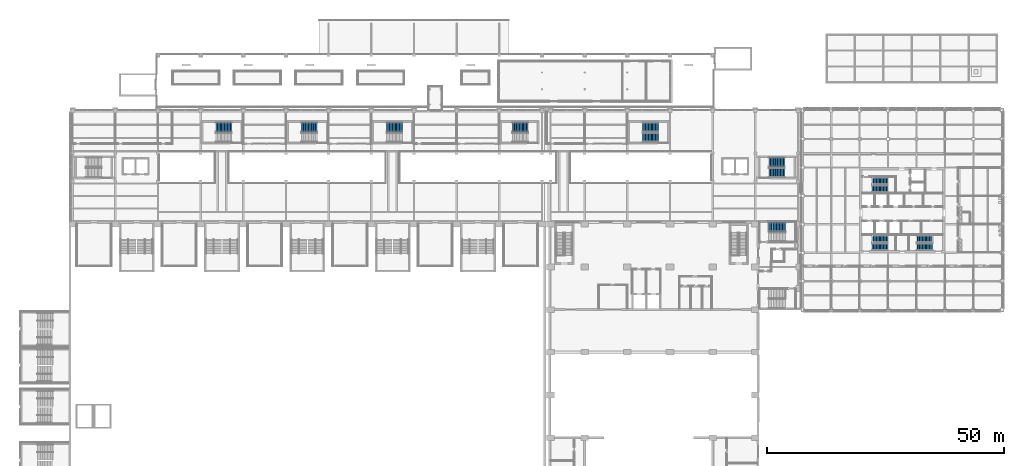
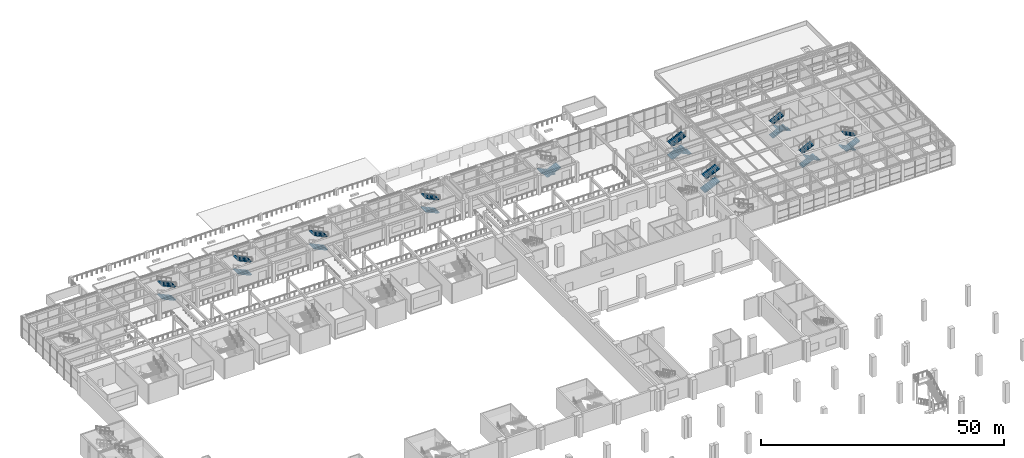
# One storey, part 52 of 67: 24 stair flights, 10 elements without a shape of their own.
"""IFC4 building model written with IfcOpenShell, lengths in metres."""

from ifc_helpers import new_model, si_unit, direction, frame, origin, place, context, subcontext, project, spatial, polyline, outline, extrude, material, type_object, element, aggregate, save


model = new_model("IFC4")

# Units and contexts
model_context = context("Model", 3, precision=1e-05, world=origin(), true_north=direction((0.0, 1.0)))
body_context = subcontext(model_context, "Body", "Model", "MODEL_VIEW")
ifc_project = project(units=[si_unit("LENGTHUNIT", "METRE"), si_unit("AREAUNIT", "SQUARE_METRE"), si_unit("VOLUMEUNIT", "CUBIC_METRE"), si_unit("PLANEANGLEUNIT", "RADIAN"), si_unit("MASSUNIT", "GRAM", prefix="KILO")], contexts=[model_context])

# Site, building, storey
site_placement = place(None, origin())
site = spatial("IfcSite", under=ifc_project, at=site_placement, CompositionType="ELEMENT")
building_placement = place(site_placement, origin())
building = spatial("IfcBuilding", under=site, at=building_placement, Name="Aravalli Gate Trade Fair Centre", CompositionType="ELEMENT")
storey_placement = place(building_placement, frame((0.0, 0.0, 5.0)))
storey = spatial("IfcBuildingStorey", under=building, at=storey_placement, Name="L01", CompositionType="ELEMENT", Elevation=5.0)

# Stair, stair flights
ifc_material = material(Name="Concrete M30", Category="concrete")
stair_type_1 = type_object("IfcStairType", Name="Concourse stair, 2000 wide", PredefinedType="HALF_TURN_STAIR", material=ifc_material)
stair_1_placement = place(storey_placement, origin())
stair_1 = element("IfcStair", 1, at=stair_1_placement, inside=storey, type_object=stair_type_1, Name="Stair ES L01", PredefinedType="HALF_TURN_STAIR")
stair_flight_type_1 = type_object("IfcStairFlightType", Name="Concourse stair flight 2000", PredefinedType="STRAIGHT", material=ifc_material)
stair_flight_1_placement = place(storey_placement, frame((152.89990234375, 122.10009765625, 0.0), z_axis=(0.0, 0.0, 1.0), x_axis=(1.0, 0.0, 0.0)))
stair_flight_1 = element("IfcStairFlight", 2, at=stair_flight_1_placement, type_object=stair_flight_type_1, Name="STES-L01 flight 1", NumberOfRisers=12, NumberOfTreads=11, PredefinedType="STRAIGHT", RiserHeight=0.138888889, TreadLength=0.3, context=body_context, shape_type="SweptSolid", body=[
    extrude(outline(polyline([(0.0, 0.0), (0.0, 0.138916015625), (0.300048828125, 0.138916015625), (0.300048828125, 0.27783203125), (0.60009765625, 0.27783203125), (0.60009765625, 0.416748046875), (0.89990234375, 0.416748046875), (0.89990234375, 0.5556640625), (1.199951171875, 0.5556640625), (1.199951171875, 0.6943359375), (1.5, 0.6943359375), (1.5, 0.833251953125), (1.800048828125, 0.833251953125), (1.800048828125, 0.97216796875), (2.10009765625, 0.97216796875), (2.10009765625, 1.111083984375), (2.39990234375, 1.111083984375), (2.39990234375, 1.25), (2.699951171875, 1.25), (2.699951171875, 1.388916015625), (3.0, 1.388916015625), (3.0, 1.52783203125), (3.300048828125, 1.52783203125), (3.300048828125, 1.666748046875), (3.300048828125, 1.307373046875), (0.475830078125, 0.0), (0.0, 0.0)])), frame((0.0, 1.0, 0.0), z_axis=(0.0, -1.0, 0.0), x_axis=(1.0, 0.0, 0.0)), (0.0, 0.0, 1.0), 2.0),
])
stair_flight_2_placement = place(storey_placement, frame((156.199951171875, 119.89990234375, 1.666748046875), z_axis=(0.0, 0.0, 1.0), x_axis=(-1.0, 0.0, 0.0)))
stair_flight_2 = element("IfcStairFlight", 3, at=stair_flight_2_placement, type_object=stair_flight_type_1, Name="STES-L01 flight 2", NumberOfRisers=12, NumberOfTreads=11, PredefinedType="STRAIGHT", RiserHeight=0.138888889, TreadLength=0.3, context=body_context, shape_type="SweptSolid", body=[
    extrude(outline(polyline([(0.0, 0.0), (0.0, 0.138916015625), (0.300048828125, 0.138916015625), (0.300048828125, 0.27783203125), (0.60009765625, 0.27783203125), (0.60009765625, 0.416748046875), (0.89990234375, 0.416748046875), (0.89990234375, 0.5556640625), (1.199951171875, 0.5556640625), (1.199951171875, 0.6943359375), (1.5, 0.6943359375), (1.5, 0.833251953125), (1.800048828125, 0.833251953125), (1.800048828125, 0.97216796875), (2.10009765625, 0.97216796875), (2.10009765625, 1.111083984375), (2.39990234375, 1.111083984375), (2.39990234375, 1.25), (2.699951171875, 1.25), (2.699951171875, 1.388916015625), (3.0, 1.388916015625), (3.0, 1.52783203125), (3.300048828125, 1.52783203125), (3.300048828125, 1.666748046875), (3.300048828125, 1.307373046875), (0.475830078125, 0.0), (0.0, 0.0)])), frame((0.0, 1.0, 0.0), z_axis=(0.0, -1.0, 0.0), x_axis=(1.0, 0.0, 0.0)), (0.0, 0.0, 1.0), 2.0),
])
stair_flight_3_placement = place(storey_placement, frame((152.89990234375, 122.10009765625, 3.333251953125), z_axis=(0.0, 0.0, 1.0), x_axis=(1.0, 0.0, 0.0)))
stair_flight_3 = element("IfcStairFlight", 4, at=stair_flight_3_placement, type_object=stair_flight_type_1, Name="STES-L01 flight 3", NumberOfRisers=12, NumberOfTreads=11, PredefinedType="STRAIGHT", RiserHeight=0.138888889, TreadLength=0.3, context=body_context, shape_type="SweptSolid", body=[
    extrude(outline(polyline([(0.0, 0.0), (0.0, 0.138916015625), (0.300048828125, 0.138916015625), (0.300048828125, 0.27783203125), (0.60009765625, 0.27783203125), (0.60009765625, 0.416748046875), (0.89990234375, 0.416748046875), (0.89990234375, 0.5556640625), (1.199951171875, 0.5556640625), (1.199951171875, 0.6943359375), (1.5, 0.6943359375), (1.5, 0.833251953125), (1.800048828125, 0.833251953125), (1.800048828125, 0.97216796875), (2.10009765625, 0.97216796875), (2.10009765625, 1.111083984375), (2.39990234375, 1.111083984375), (2.39990234375, 1.25), (2.699951171875, 1.25), (2.699951171875, 1.388916015625), (3.0, 1.388916015625), (3.0, 1.52783203125), (3.300048828125, 1.52783203125), (3.300048828125, 1.666748046875), (3.300048828125, 1.307373046875), (0.475830078125, 0.0), (0.0, 0.0)])), frame((0.0, 1.0, 0.0), z_axis=(0.0, -1.0, 0.0), x_axis=(1.0, 0.0, 0.0)), (0.0, 0.0, 1.0), 2.0),
])
aggregate(stair_1, [stair_flight_1, stair_flight_2, stair_flight_3])

stair_2_placement = place(storey_placement, origin())
stair_2 = element("IfcStair", 5, at=stair_2_placement, inside=storey, type_object=stair_type_1, Name="Stair XA L01", PredefinedType="HALF_TURN_STAIR")
stair_flight_4_placement = place(storey_placement, frame((39.550048828125, 129.5, 0.0), z_axis=(0.0, 0.0, 1.0), x_axis=(-1.0, 0.0, 0.0)))
stair_flight_4 = element("IfcStairFlight", 6, at=stair_flight_4_placement, type_object=stair_flight_type_1, Name="STXA-L01 flight 1", NumberOfRisers=12, NumberOfTreads=11, PredefinedType="STRAIGHT", RiserHeight=0.138888889, TreadLength=0.3, context=body_context, shape_type="SweptSolid", body=[
    extrude(outline(polyline([(0.0, 0.0), (0.0, 0.138916015625), (0.300048828125, 0.138916015625), (0.300048828125, 0.27783203125), (0.60009765625, 0.27783203125), (0.60009765625, 0.416748046875), (0.89990234375, 0.416748046875), (0.89990234375, 0.5556640625), (1.199951171875, 0.5556640625), (1.199951171875, 0.6943359375), (1.5, 0.6943359375), (1.5, 0.833251953125), (1.800048828125, 0.833251953125), (1.800048828125, 0.97216796875), (2.10009765625, 0.97216796875), (2.10009765625, 1.111083984375), (2.39990234375, 1.111083984375), (2.39990234375, 1.25), (2.699951171875, 1.25), (2.699951171875, 1.388916015625), (3.0, 1.388916015625), (3.0, 1.52783203125), (3.300048828125, 1.52783203125), (3.300048828125, 1.666748046875), (3.300048828125, 1.307373046875), (0.475830078125, 0.0), (0.0, 0.0)])), frame((0.0, 1.0, 0.0), z_axis=(0.0, -1.0, 0.0), x_axis=(1.0, 0.0, 0.0)), (0.0, 0.0, 1.0), 2.0),
])
stair_flight_5_placement = place(storey_placement, frame((39.550048828125, 129.5, 3.333251953125), z_axis=(0.0, 0.0, 1.0), x_axis=(-1.0, 0.0, 0.0)))
stair_flight_5 = element("IfcStairFlight", 7, at=stair_flight_5_placement, type_object=stair_flight_type_1, Name="STXA-L01 flight 3", NumberOfRisers=12, NumberOfTreads=11, PredefinedType="STRAIGHT", RiserHeight=0.138888889, TreadLength=0.3, context=body_context, shape_type="SweptSolid", body=[
    extrude(outline(polyline([(0.0, 0.0), (0.0, 0.138916015625), (0.300048828125, 0.138916015625), (0.300048828125, 0.27783203125), (0.60009765625, 0.27783203125), (0.60009765625, 0.416748046875), (0.89990234375, 0.416748046875), (0.89990234375, 0.5556640625), (1.199951171875, 0.5556640625), (1.199951171875, 0.6943359375), (1.5, 0.6943359375), (1.5, 0.833251953125), (1.800048828125, 0.833251953125), (1.800048828125, 0.97216796875), (2.10009765625, 0.97216796875), (2.10009765625, 1.111083984375), (2.39990234375, 1.111083984375), (2.39990234375, 1.25), (2.699951171875, 1.25), (2.699951171875, 1.388916015625), (3.0, 1.388916015625), (3.0, 1.52783203125), (3.300048828125, 1.52783203125), (3.300048828125, 1.666748046875), (3.300048828125, 1.307373046875), (0.475830078125, 0.0), (0.0, 0.0)])), frame((0.0, 1.0, 0.0), z_axis=(0.0, -1.0, 0.0), x_axis=(1.0, 0.0, 0.0)), (0.0, 0.0, 1.0), 2.0),
])
aggregate(stair_2, [stair_flight_4, stair_flight_5])

stair_3_placement = place(storey_placement, origin())
stair_3 = element("IfcStair", 8, at=stair_3_placement, inside=storey, type_object=stair_type_1, Name="Stair XB L01", PredefinedType="HALF_TURN_STAIR")
stair_flight_6_placement = place(storey_placement, frame((57.550048828125, 129.5, 0.0), z_axis=(0.0, 0.0, 1.0), x_axis=(-1.0, 0.0, 0.0)))
stair_flight_6 = element("IfcStairFlight", 9, at=stair_flight_6_placement, type_object=stair_flight_type_1, Name="STXB-L01 flight 1", NumberOfRisers=12, NumberOfTreads=11, PredefinedType="STRAIGHT", RiserHeight=0.138888889, TreadLength=0.3, context=body_context, shape_type="SweptSolid", body=[
    extrude(outline(polyline([(0.0, 0.0), (0.0, 0.138916015625), (0.300048828125, 0.138916015625), (0.300048828125, 0.27783203125), (0.60009765625, 0.27783203125), (0.60009765625, 0.416748046875), (0.89990234375, 0.416748046875), (0.89990234375, 0.5556640625), (1.199951171875, 0.5556640625), (1.199951171875, 0.6943359375), (1.5, 0.6943359375), (1.5, 0.833251953125), (1.800048828125, 0.833251953125), (1.800048828125, 0.97216796875), (2.10009765625, 0.97216796875), (2.10009765625, 1.111083984375), (2.39990234375, 1.111083984375), (2.39990234375, 1.25), (2.699951171875, 1.25), (2.699951171875, 1.388916015625), (3.0, 1.388916015625), (3.0, 1.52783203125), (3.300048828125, 1.52783203125), (3.300048828125, 1.666748046875), (3.300048828125, 1.307373046875), (0.475830078125, 0.0), (0.0, 0.0)])), frame((0.0, 1.0, 0.0), z_axis=(0.0, -1.0, 0.0), x_axis=(1.0, 0.0, 0.0)), (0.0, 0.0, 1.0), 2.0),
])
stair_flight_7_placement = place(storey_placement, frame((57.550048828125, 129.5, 3.333251953125), z_axis=(0.0, 0.0, 1.0), x_axis=(-1.0, 0.0, 0.0)))
stair_flight_7 = element("IfcStairFlight", 10, at=stair_flight_7_placement, type_object=stair_flight_type_1, Name="STXB-L01 flight 3", NumberOfRisers=12, NumberOfTreads=11, PredefinedType="STRAIGHT", RiserHeight=0.138888889, TreadLength=0.3, context=body_context, shape_type="SweptSolid", body=[
    extrude(outline(polyline([(0.0, 0.0), (0.0, 0.138916015625), (0.300048828125, 0.138916015625), (0.300048828125, 0.27783203125), (0.60009765625, 0.27783203125), (0.60009765625, 0.416748046875), (0.89990234375, 0.416748046875), (0.89990234375, 0.5556640625), (1.199951171875, 0.5556640625), (1.199951171875, 0.6943359375), (1.5, 0.6943359375), (1.5, 0.833251953125), (1.800048828125, 0.833251953125), (1.800048828125, 0.97216796875), (2.10009765625, 0.97216796875), (2.10009765625, 1.111083984375), (2.39990234375, 1.111083984375), (2.39990234375, 1.25), (2.699951171875, 1.25), (2.699951171875, 1.388916015625), (3.0, 1.388916015625), (3.0, 1.52783203125), (3.300048828125, 1.52783203125), (3.300048828125, 1.666748046875), (3.300048828125, 1.307373046875), (0.475830078125, 0.0), (0.0, 0.0)])), frame((0.0, 1.0, 0.0), z_axis=(0.0, -1.0, 0.0), x_axis=(1.0, 0.0, 0.0)), (0.0, 0.0, 1.0), 2.0),
])
aggregate(stair_3, [stair_flight_6, stair_flight_7])

stair_4_placement = place(storey_placement, origin())
stair_4 = element("IfcStair", 11, at=stair_4_placement, inside=storey, type_object=stair_type_1, Name="Stair XC L01", PredefinedType="HALF_TURN_STAIR")
stair_flight_8_placement = place(storey_placement, frame((75.550048828125, 129.5, 0.0), z_axis=(0.0, 0.0, 1.0), x_axis=(-1.0, 0.0, 0.0)))
stair_flight_8 = element("IfcStairFlight", 12, at=stair_flight_8_placement, type_object=stair_flight_type_1, Name="STXC-L01 flight 1", NumberOfRisers=12, NumberOfTreads=11, PredefinedType="STRAIGHT", RiserHeight=0.138888889, TreadLength=0.3, context=body_context, shape_type="SweptSolid", body=[
    extrude(outline(polyline([(0.0, 0.0), (0.0, 0.138916015625), (0.300048828125, 0.138916015625), (0.300048828125, 0.27783203125), (0.60009765625, 0.27783203125), (0.60009765625, 0.416748046875), (0.89990234375, 0.416748046875), (0.89990234375, 0.5556640625), (1.199951171875, 0.5556640625), (1.199951171875, 0.6943359375), (1.5, 0.6943359375), (1.5, 0.833251953125), (1.800048828125, 0.833251953125), (1.800048828125, 0.97216796875), (2.10009765625, 0.97216796875), (2.10009765625, 1.111083984375), (2.39990234375, 1.111083984375), (2.39990234375, 1.25), (2.699951171875, 1.25), (2.699951171875, 1.388916015625), (3.0, 1.388916015625), (3.0, 1.52783203125), (3.300048828125, 1.52783203125), (3.300048828125, 1.666748046875), (3.300048828125, 1.307373046875), (0.475830078125, 0.0), (0.0, 0.0)])), frame((0.0, 1.0, 0.0), z_axis=(0.0, -1.0, 0.0), x_axis=(1.0, 0.0, 0.0)), (0.0, 0.0, 1.0), 2.0),
])
stair_flight_9_placement = place(storey_placement, frame((75.550048828125, 129.5, 3.333251953125), z_axis=(0.0, 0.0, 1.0), x_axis=(-1.0, 0.0, 0.0)))
stair_flight_9 = element("IfcStairFlight", 13, at=stair_flight_9_placement, type_object=stair_flight_type_1, Name="STXC-L01 flight 3", NumberOfRisers=12, NumberOfTreads=11, PredefinedType="STRAIGHT", RiserHeight=0.138888889, TreadLength=0.3, context=body_context, shape_type="SweptSolid", body=[
    extrude(outline(polyline([(0.0, 0.0), (0.0, 0.138916015625), (0.300048828125, 0.138916015625), (0.300048828125, 0.27783203125), (0.60009765625, 0.27783203125), (0.60009765625, 0.416748046875), (0.89990234375, 0.416748046875), (0.89990234375, 0.5556640625), (1.199951171875, 0.5556640625), (1.199951171875, 0.6943359375), (1.5, 0.6943359375), (1.5, 0.833251953125), (1.800048828125, 0.833251953125), (1.800048828125, 0.97216796875), (2.10009765625, 0.97216796875), (2.10009765625, 1.111083984375), (2.39990234375, 1.111083984375), (2.39990234375, 1.25), (2.699951171875, 1.25), (2.699951171875, 1.388916015625), (3.0, 1.388916015625), (3.0, 1.52783203125), (3.300048828125, 1.52783203125), (3.300048828125, 1.666748046875), (3.300048828125, 1.307373046875), (0.475830078125, 0.0), (0.0, 0.0)])), frame((0.0, 1.0, 0.0), z_axis=(0.0, -1.0, 0.0), x_axis=(1.0, 0.0, 0.0)), (0.0, 0.0, 1.0), 2.0),
])
aggregate(stair_4, [stair_flight_8, stair_flight_9])

stair_5_placement = place(storey_placement, origin())
stair_5 = element("IfcStair", 14, at=stair_5_placement, inside=storey, type_object=stair_type_1, Name="Stair XD L01", PredefinedType="HALF_TURN_STAIR")
stair_flight_10_placement = place(storey_placement, frame((102.050048828125, 129.5, 0.0), z_axis=(0.0, 0.0, 1.0), x_axis=(-1.0, 0.0, 0.0)))
stair_flight_10 = element("IfcStairFlight", 15, at=stair_flight_10_placement, type_object=stair_flight_type_1, Name="STXD-L01 flight 1", NumberOfRisers=12, NumberOfTreads=11, PredefinedType="STRAIGHT", RiserHeight=0.138888889, TreadLength=0.3, context=body_context, shape_type="SweptSolid", body=[
    extrude(outline(polyline([(0.0, 0.0), (0.0, 0.138916015625), (0.300048828125, 0.138916015625), (0.300048828125, 0.27783203125), (0.60009765625, 0.27783203125), (0.60009765625, 0.416748046875), (0.89990234375, 0.416748046875), (0.89990234375, 0.5556640625), (1.199951171875, 0.5556640625), (1.199951171875, 0.6943359375), (1.5, 0.6943359375), (1.5, 0.833251953125), (1.800048828125, 0.833251953125), (1.800048828125, 0.97216796875), (2.10009765625, 0.97216796875), (2.10009765625, 1.111083984375), (2.39990234375, 1.111083984375), (2.39990234375, 1.25), (2.699951171875, 1.25), (2.699951171875, 1.388916015625), (3.0, 1.388916015625), (3.0, 1.52783203125), (3.300048828125, 1.52783203125), (3.300048828125, 1.666748046875), (3.300048828125, 1.307373046875), (0.475830078125, 0.0), (0.0, 0.0)])), frame((0.0, 1.0, 0.0), z_axis=(0.0, -1.0, 0.0), x_axis=(1.0, 0.0, 0.0)), (0.0, 0.0, 1.0), 2.0),
])
stair_flight_11_placement = place(storey_placement, frame((102.050048828125, 129.5, 3.333251953125), z_axis=(0.0, 0.0, 1.0), x_axis=(-1.0, 0.0, 0.0)))
stair_flight_11 = element("IfcStairFlight", 16, at=stair_flight_11_placement, type_object=stair_flight_type_1, Name="STXD-L01 flight 3", NumberOfRisers=12, NumberOfTreads=11, PredefinedType="STRAIGHT", RiserHeight=0.138888889, TreadLength=0.3, context=body_context, shape_type="SweptSolid", body=[
    extrude(outline(polyline([(0.0, 0.0), (0.0, 0.138916015625), (0.300048828125, 0.138916015625), (0.300048828125, 0.27783203125), (0.60009765625, 0.27783203125), (0.60009765625, 0.416748046875), (0.89990234375, 0.416748046875), (0.89990234375, 0.5556640625), (1.199951171875, 0.5556640625), (1.199951171875, 0.6943359375), (1.5, 0.6943359375), (1.5, 0.833251953125), (1.800048828125, 0.833251953125), (1.800048828125, 0.97216796875), (2.10009765625, 0.97216796875), (2.10009765625, 1.111083984375), (2.39990234375, 1.111083984375), (2.39990234375, 1.25), (2.699951171875, 1.25), (2.699951171875, 1.388916015625), (3.0, 1.388916015625), (3.0, 1.52783203125), (3.300048828125, 1.52783203125), (3.300048828125, 1.666748046875), (3.300048828125, 1.307373046875), (0.475830078125, 0.0), (0.0, 0.0)])), frame((0.0, 1.0, 0.0), z_axis=(0.0, -1.0, 0.0), x_axis=(1.0, 0.0, 0.0)), (0.0, 0.0, 1.0), 2.0),
])
aggregate(stair_5, [stair_flight_10, stair_flight_11])

stair_6_placement = place(storey_placement, origin())
stair_6 = element("IfcStair", 17, at=stair_6_placement, inside=storey, type_object=stair_type_1, Name="Stair XE L01", PredefinedType="HALF_TURN_STAIR")
stair_flight_12_placement = place(storey_placement, frame((129.550048828125, 129.5, 0.0), z_axis=(0.0, 0.0, 1.0), x_axis=(-1.0, 0.0, 0.0)))
stair_flight_12 = element("IfcStairFlight", 18, at=stair_flight_12_placement, type_object=stair_flight_type_1, Name="STXE-L01 flight 1", NumberOfRisers=12, NumberOfTreads=11, PredefinedType="STRAIGHT", RiserHeight=0.138888889, TreadLength=0.3, context=body_context, shape_type="SweptSolid", body=[
    extrude(outline(polyline([(0.0, 0.0), (0.0, 0.138916015625), (0.300048828125, 0.138916015625), (0.300048828125, 0.27783203125), (0.60009765625, 0.27783203125), (0.60009765625, 0.416748046875), (0.89990234375, 0.416748046875), (0.89990234375, 0.5556640625), (1.199951171875, 0.5556640625), (1.199951171875, 0.6943359375), (1.5, 0.6943359375), (1.5, 0.833251953125), (1.800048828125, 0.833251953125), (1.800048828125, 0.97216796875), (2.10009765625, 0.97216796875), (2.10009765625, 1.111083984375), (2.39990234375, 1.111083984375), (2.39990234375, 1.25), (2.699951171875, 1.25), (2.699951171875, 1.388916015625), (3.0, 1.388916015625), (3.0, 1.52783203125), (3.300048828125, 1.52783203125), (3.300048828125, 1.666748046875), (3.300048828125, 1.307373046875), (0.475830078125, 0.0), (0.0, 0.0)])), frame((0.0, 1.0, 0.0), z_axis=(0.0, -1.0, 0.0), x_axis=(1.0, 0.0, 0.0)), (0.0, 0.0, 1.0), 2.0),
])
stair_flight_13_placement = place(storey_placement, frame((126.25, 127.300048828125, 1.666748046875), z_axis=(0.0, 0.0, 1.0), x_axis=(1.0, 0.0, 0.0)))
stair_flight_13 = element("IfcStairFlight", 19, at=stair_flight_13_placement, type_object=stair_flight_type_1, Name="STXE-L01 flight 2", NumberOfRisers=12, NumberOfTreads=11, PredefinedType="STRAIGHT", RiserHeight=0.138888889, TreadLength=0.3, context=body_context, shape_type="SweptSolid", body=[
    extrude(outline(polyline([(0.0, 0.0), (0.0, 0.138916015625), (0.300048828125, 0.138916015625), (0.300048828125, 0.27783203125), (0.60009765625, 0.27783203125), (0.60009765625, 0.416748046875), (0.89990234375, 0.416748046875), (0.89990234375, 0.5556640625), (1.199951171875, 0.5556640625), (1.199951171875, 0.6943359375), (1.5, 0.6943359375), (1.5, 0.833251953125), (1.800048828125, 0.833251953125), (1.800048828125, 0.97216796875), (2.10009765625, 0.97216796875), (2.10009765625, 1.111083984375), (2.39990234375, 1.111083984375), (2.39990234375, 1.25), (2.699951171875, 1.25), (2.699951171875, 1.388916015625), (3.0, 1.388916015625), (3.0, 1.52783203125), (3.300048828125, 1.52783203125), (3.300048828125, 1.666748046875), (3.300048828125, 1.307373046875), (0.475830078125, 0.0), (0.0, 0.0)])), frame((0.0, 1.0, 0.0), z_axis=(0.0, -1.0, 0.0), x_axis=(1.0, 0.0, 0.0)), (0.0, 0.0, 1.0), 2.0),
])
aggregate(stair_6, [stair_flight_12, stair_flight_13])

stair_type_2 = type_object("IfcStairType", Name="Wing core stair", PredefinedType="HALF_TURN_STAIR", material=ifc_material)
stair_7_placement = place(storey_placement, origin())
stair_7 = element("IfcStair", 20, at=stair_7_placement, inside=storey, type_object=stair_type_2, Name="Stair S2 L01", PredefinedType="HALF_TURN_STAIR")
stair_flight_type_2 = type_object("IfcStairFlightType", Name="Wing core stair flight", PredefinedType="STRAIGHT", material=ifc_material)
stair_flight_14_placement = place(storey_placement, frame((174.64990234375, 105.929931640625, 0.0), z_axis=(0.0, 0.0, 1.0), x_axis=(1.0, 0.0, 0.0)))
stair_flight_14 = element("IfcStairFlight", 21, at=stair_flight_14_placement, type_object=stair_flight_type_2, Name="TST1 flight 1", NumberOfRisers=12, NumberOfTreads=11, PredefinedType="STRAIGHT", RiserHeight=0.147058824, TreadLength=0.3, context=body_context, shape_type="SweptSolid", body=[
    extrude(outline(polyline([(0.0, 0.0), (0.0, 0.14697265625), (0.300048828125, 0.14697265625), (0.300048828125, 0.294189453125), (0.60009765625, 0.294189453125), (0.60009765625, 0.441162109375), (0.89990234375, 0.441162109375), (0.89990234375, 0.588134765625), (1.199951171875, 0.588134765625), (1.199951171875, 0.7353515625), (1.5, 0.7353515625), (1.5, 0.88232421875), (1.800048828125, 0.88232421875), (1.800048828125, 1.029296875), (2.10009765625, 1.029296875), (2.10009765625, 1.176513671875), (2.39990234375, 1.176513671875), (2.39990234375, 1.323486328125), (2.699951171875, 1.323486328125), (2.699951171875, 1.470703125), (3.0, 1.470703125), (3.0, 1.61767578125), (3.300048828125, 1.61767578125), (3.300048828125, 1.7646484375), (3.300048828125, 1.472900390625), (0.295166015625, 0.0), (0.0, 0.0)])), frame((0.0, 0.77001953125, 0.0), z_axis=(0.0, -1.0, 0.0), x_axis=(1.0, 0.0, 0.0)), (0.0, 0.0, 1.0), 1.5400390625),
])
stair_flight_15_placement = place(storey_placement, frame((177.949951171875, 104.27001953125, 1.7646484375), z_axis=(0.0, 0.0, 1.0), x_axis=(-1.0, 0.0, 0.0)))
stair_flight_15 = element("IfcStairFlight", 22, at=stair_flight_15_placement, type_object=stair_flight_type_2, Name="TST1 flight 2", NumberOfRisers=12, NumberOfTreads=11, PredefinedType="STRAIGHT", RiserHeight=0.147058824, TreadLength=0.3, context=body_context, shape_type="SweptSolid", body=[
    extrude(outline(polyline([(0.0, 0.0), (0.0, 0.14697265625), (0.300048828125, 0.14697265625), (0.300048828125, 0.294189453125), (0.60009765625, 0.294189453125), (0.60009765625, 0.441162109375), (0.89990234375, 0.441162109375), (0.89990234375, 0.588134765625), (1.199951171875, 0.588134765625), (1.199951171875, 0.7353515625), (1.5, 0.7353515625), (1.5, 0.88232421875), (1.800048828125, 0.88232421875), (1.800048828125, 1.029296875), (2.10009765625, 1.029296875), (2.10009765625, 1.176513671875), (2.39990234375, 1.176513671875), (2.39990234375, 1.323486328125), (2.699951171875, 1.323486328125), (2.699951171875, 1.470703125), (3.0, 1.470703125), (3.0, 1.61767578125), (3.300048828125, 1.61767578125), (3.300048828125, 1.7646484375), (3.300048828125, 1.472900390625), (0.295166015625, 0.0), (0.0, 0.0)])), frame((0.0, 0.77001953125, 0.0), z_axis=(0.0, -1.0, 0.0), x_axis=(1.0, 0.0, 0.0)), (0.0, 0.0, 1.0), 1.5400390625),
])
stair_flight_16_placement = place(storey_placement, frame((174.64990234375, 105.929931640625, 3.529296875), z_axis=(0.0, 0.0, 1.0), x_axis=(1.0, 0.0, 0.0)))
stair_flight_16 = element("IfcStairFlight", 23, at=stair_flight_16_placement, type_object=stair_flight_type_2, Name="TST1 flight 3", NumberOfRisers=10, NumberOfTreads=9, PredefinedType="STRAIGHT", RiserHeight=0.147058824, TreadLength=0.3, context=body_context, shape_type="SweptSolid", body=[
    extrude(outline(polyline([(0.0, 0.0), (0.0, 0.14697265625), (0.300048828125, 0.14697265625), (0.300048828125, 0.294189453125), (0.60009765625, 0.294189453125), (0.60009765625, 0.441162109375), (0.89990234375, 0.441162109375), (0.89990234375, 0.588134765625), (1.199951171875, 0.588134765625), (1.199951171875, 0.7353515625), (1.5, 0.7353515625), (1.5, 0.88232421875), (1.800048828125, 0.88232421875), (1.800048828125, 1.029296875), (2.10009765625, 1.029296875), (2.10009765625, 1.176513671875), (2.39990234375, 1.176513671875), (2.39990234375, 1.323486328125), (2.699951171875, 1.323486328125), (2.699951171875, 1.470703125), (2.699951171875, 1.178955078125), (0.295166015625, 0.0), (0.0, 0.0)])), frame((0.0, 0.77001953125, 0.0), z_axis=(0.0, -1.0, 0.0), x_axis=(1.0, 0.0, 0.0)), (0.0, 0.0, 1.0), 1.5400390625),
])
aggregate(stair_7, [stair_flight_14, stair_flight_15, stair_flight_16])

stair_8_placement = place(storey_placement, origin())
stair_8 = element("IfcStair", 24, at=stair_8_placement, inside=storey, type_object=stair_type_2, Name="Stair S1 L01", PredefinedType="HALF_TURN_STAIR")
stair_flight_17_placement = place(storey_placement, frame((187.35009765625, 105.929931640625, 0.0), z_axis=(0.0, 0.0, 1.0), x_axis=(-1.0, 0.0, 0.0)))
stair_flight_17 = element("IfcStairFlight", 25, at=stair_flight_17_placement, type_object=stair_flight_type_2, Name="TST1 flight 1", NumberOfRisers=12, NumberOfTreads=11, PredefinedType="STRAIGHT", RiserHeight=0.147058824, TreadLength=0.3, context=body_context, shape_type="SweptSolid", body=[
    extrude(outline(polyline([(0.0, 0.0), (0.0, 0.14697265625), (0.300048828125, 0.14697265625), (0.300048828125, 0.294189453125), (0.60009765625, 0.294189453125), (0.60009765625, 0.441162109375), (0.89990234375, 0.441162109375), (0.89990234375, 0.588134765625), (1.199951171875, 0.588134765625), (1.199951171875, 0.7353515625), (1.5, 0.7353515625), (1.5, 0.88232421875), (1.800048828125, 0.88232421875), (1.800048828125, 1.029296875), (2.10009765625, 1.029296875), (2.10009765625, 1.176513671875), (2.39990234375, 1.176513671875), (2.39990234375, 1.323486328125), (2.699951171875, 1.323486328125), (2.699951171875, 1.470703125), (3.0, 1.470703125), (3.0, 1.61767578125), (3.300048828125, 1.61767578125), (3.300048828125, 1.7646484375), (3.300048828125, 1.472900390625), (0.295166015625, 0.0), (0.0, 0.0)])), frame((0.0, 0.77001953125, 0.0), z_axis=(0.0, -1.0, 0.0), x_axis=(1.0, 0.0, 0.0)), (0.0, 0.0, 1.0), 1.5400390625),
])
stair_flight_18_placement = place(storey_placement, frame((184.050048828125, 104.27001953125, 1.7646484375), z_axis=(0.0, 0.0, 1.0), x_axis=(1.0, 0.0, 0.0)))
stair_flight_18 = element("IfcStairFlight", 26, at=stair_flight_18_placement, type_object=stair_flight_type_2, Name="TST1 flight 2", NumberOfRisers=12, NumberOfTreads=11, PredefinedType="STRAIGHT", RiserHeight=0.147058824, TreadLength=0.3, context=body_context, shape_type="SweptSolid", body=[
    extrude(outline(polyline([(0.0, 0.0), (0.0, 0.14697265625), (0.300048828125, 0.14697265625), (0.300048828125, 0.294189453125), (0.60009765625, 0.294189453125), (0.60009765625, 0.441162109375), (0.89990234375, 0.441162109375), (0.89990234375, 0.588134765625), (1.199951171875, 0.588134765625), (1.199951171875, 0.7353515625), (1.5, 0.7353515625), (1.5, 0.88232421875), (1.800048828125, 0.88232421875), (1.800048828125, 1.029296875), (2.10009765625, 1.029296875), (2.10009765625, 1.176513671875), (2.39990234375, 1.176513671875), (2.39990234375, 1.323486328125), (2.699951171875, 1.323486328125), (2.699951171875, 1.470703125), (3.0, 1.470703125), (3.0, 1.61767578125), (3.300048828125, 1.61767578125), (3.300048828125, 1.7646484375), (3.300048828125, 1.472900390625), (0.295166015625, 0.0), (0.0, 0.0)])), frame((0.0, 0.77001953125, 0.0), z_axis=(0.0, -1.0, 0.0), x_axis=(1.0, 0.0, 0.0)), (0.0, 0.0, 1.0), 1.5400390625),
])
stair_flight_19_placement = place(storey_placement, frame((187.35009765625, 105.929931640625, 3.529296875), z_axis=(0.0, 0.0, 1.0), x_axis=(-1.0, 0.0, 0.0)))
stair_flight_19 = element("IfcStairFlight", 27, at=stair_flight_19_placement, type_object=stair_flight_type_2, Name="TST1 flight 3", NumberOfRisers=10, NumberOfTreads=9, PredefinedType="STRAIGHT", RiserHeight=0.147058824, TreadLength=0.3, context=body_context, shape_type="SweptSolid", body=[
    extrude(outline(polyline([(0.0, 0.0), (0.0, 0.14697265625), (0.300048828125, 0.14697265625), (0.300048828125, 0.294189453125), (0.60009765625, 0.294189453125), (0.60009765625, 0.441162109375), (0.89990234375, 0.441162109375), (0.89990234375, 0.588134765625), (1.199951171875, 0.588134765625), (1.199951171875, 0.7353515625), (1.5, 0.7353515625), (1.5, 0.88232421875), (1.800048828125, 0.88232421875), (1.800048828125, 1.029296875), (2.10009765625, 1.029296875), (2.10009765625, 1.176513671875), (2.39990234375, 1.176513671875), (2.39990234375, 1.323486328125), (2.699951171875, 1.323486328125), (2.699951171875, 1.470703125), (2.699951171875, 1.178955078125), (0.295166015625, 0.0), (0.0, 0.0)])), frame((0.0, 0.77001953125, 0.0), z_axis=(0.0, -1.0, 0.0), x_axis=(1.0, 0.0, 0.0)), (0.0, 0.0, 1.0), 1.5400390625),
])
aggregate(stair_8, [stair_flight_17, stair_flight_18, stair_flight_19])

stair_9_placement = place(storey_placement, origin())
stair_9 = element("IfcStair", 28, at=stair_9_placement, inside=storey, type_object=stair_type_2, Name="Stair FFS L01", PredefinedType="HALF_TURN_STAIR")
stair_flight_20_placement = place(storey_placement, frame((174.64990234375, 118.1298828125, 0.0), z_axis=(0.0, 0.0, 1.0), x_axis=(1.0, 0.0, 0.0)))
stair_flight_20 = element("IfcStairFlight", 29, at=stair_flight_20_placement, type_object=stair_flight_type_2, Name="TST1 flight 1", NumberOfRisers=12, NumberOfTreads=11, PredefinedType="STRAIGHT", RiserHeight=0.147058824, TreadLength=0.3, context=body_context, shape_type="SweptSolid", body=[
    extrude(outline(polyline([(0.0, 0.0), (0.0, 0.14697265625), (0.300048828125, 0.14697265625), (0.300048828125, 0.294189453125), (0.60009765625, 0.294189453125), (0.60009765625, 0.441162109375), (0.89990234375, 0.441162109375), (0.89990234375, 0.588134765625), (1.199951171875, 0.588134765625), (1.199951171875, 0.7353515625), (1.5, 0.7353515625), (1.5, 0.88232421875), (1.800048828125, 0.88232421875), (1.800048828125, 1.029296875), (2.10009765625, 1.029296875), (2.10009765625, 1.176513671875), (2.39990234375, 1.176513671875), (2.39990234375, 1.323486328125), (2.699951171875, 1.323486328125), (2.699951171875, 1.470703125), (3.0, 1.470703125), (3.0, 1.61767578125), (3.300048828125, 1.61767578125), (3.300048828125, 1.7646484375), (3.300048828125, 1.472900390625), (0.295166015625, 0.0), (0.0, 0.0)])), frame((0.0, 0.77001953125, 0.0), z_axis=(0.0, -1.0, 0.0), x_axis=(1.0, 0.0, 0.0)), (0.0, 0.0, 1.0), 1.5400390625),
])
stair_flight_21_placement = place(storey_placement, frame((177.949951171875, 116.469970703125, 1.7646484375), z_axis=(0.0, 0.0, 1.0), x_axis=(-1.0, 0.0, 0.0)))
stair_flight_21 = element("IfcStairFlight", 30, at=stair_flight_21_placement, type_object=stair_flight_type_2, Name="TST1 flight 2", NumberOfRisers=12, NumberOfTreads=11, PredefinedType="STRAIGHT", RiserHeight=0.147058824, TreadLength=0.3, context=body_context, shape_type="SweptSolid", body=[
    extrude(outline(polyline([(0.0, 0.0), (0.0, 0.14697265625), (0.300048828125, 0.14697265625), (0.300048828125, 0.294189453125), (0.60009765625, 0.294189453125), (0.60009765625, 0.441162109375), (0.89990234375, 0.441162109375), (0.89990234375, 0.588134765625), (1.199951171875, 0.588134765625), (1.199951171875, 0.7353515625), (1.5, 0.7353515625), (1.5, 0.88232421875), (1.800048828125, 0.88232421875), (1.800048828125, 1.029296875), (2.10009765625, 1.029296875), (2.10009765625, 1.176513671875), (2.39990234375, 1.176513671875), (2.39990234375, 1.323486328125), (2.699951171875, 1.323486328125), (2.699951171875, 1.470703125), (3.0, 1.470703125), (3.0, 1.61767578125), (3.300048828125, 1.61767578125), (3.300048828125, 1.7646484375), (3.300048828125, 1.472900390625), (0.295166015625, 0.0), (0.0, 0.0)])), frame((0.0, 0.77001953125, 0.0), z_axis=(0.0, -1.0, 0.0), x_axis=(1.0, 0.0, 0.0)), (0.0, 0.0, 1.0), 1.5400390625),
])
stair_flight_22_placement = place(storey_placement, frame((174.64990234375, 118.1298828125, 3.529296875), z_axis=(0.0, 0.0, 1.0), x_axis=(1.0, 0.0, 0.0)))
stair_flight_22 = element("IfcStairFlight", 31, at=stair_flight_22_placement, type_object=stair_flight_type_2, Name="TST1 flight 3", NumberOfRisers=10, NumberOfTreads=9, PredefinedType="STRAIGHT", RiserHeight=0.147058824, TreadLength=0.3, context=body_context, shape_type="SweptSolid", body=[
    extrude(outline(polyline([(0.0, 0.0), (0.0, 0.14697265625), (0.300048828125, 0.14697265625), (0.300048828125, 0.294189453125), (0.60009765625, 0.294189453125), (0.60009765625, 0.441162109375), (0.89990234375, 0.441162109375), (0.89990234375, 0.588134765625), (1.199951171875, 0.588134765625), (1.199951171875, 0.7353515625), (1.5, 0.7353515625), (1.5, 0.88232421875), (1.800048828125, 0.88232421875), (1.800048828125, 1.029296875), (2.10009765625, 1.029296875), (2.10009765625, 1.176513671875), (2.39990234375, 1.176513671875), (2.39990234375, 1.323486328125), (2.699951171875, 1.323486328125), (2.699951171875, 1.470703125), (2.699951171875, 1.178955078125), (0.295166015625, 0.0), (0.0, 0.0)])), frame((0.0, 0.77001953125, 0.0), z_axis=(0.0, -1.0, 0.0), x_axis=(1.0, 0.0, 0.0)), (0.0, 0.0, 1.0), 1.5400390625),
])
aggregate(stair_9, [stair_flight_20, stair_flight_21, stair_flight_22])

stair_10_placement = place(storey_placement, origin())
stair_10 = element("IfcStair", 32, at=stair_10_placement, inside=storey, type_object=stair_type_2, Name="Stair LB L01", PredefinedType="HALF_TURN_STAIR")
stair_flight_23_placement = place(storey_placement, frame((152.802978515625, 108.449951171875, 0.0), z_axis=(0.0, 0.0, 1.0), x_axis=(1.0, 0.0, 0.0)))
stair_flight_23 = element("IfcStairFlight", 33, at=stair_flight_23_placement, type_object=stair_flight_type_2, Name="TST1 flight 1", NumberOfRisers=12, NumberOfTreads=11, PredefinedType="STRAIGHT", RiserHeight=0.147058824, TreadLength=0.327, context=body_context, shape_type="SweptSolid", body=[
    extrude(outline(polyline([(0.0, 0.0), (0.0, 0.14697265625), (0.326904296875, 0.14697265625), (0.326904296875, 0.294189453125), (0.654052734375, 0.294189453125), (0.654052734375, 0.441162109375), (0.98095703125, 0.441162109375), (0.98095703125, 0.588134765625), (1.30810546875, 0.588134765625), (1.30810546875, 0.7353515625), (1.635009765625, 0.7353515625), (1.635009765625, 0.88232421875), (1.9619140625, 0.88232421875), (1.9619140625, 1.029296875), (2.2890625, 1.029296875), (2.2890625, 1.176513671875), (2.615966796875, 1.176513671875), (2.615966796875, 1.323486328125), (2.943115234375, 1.323486328125), (2.943115234375, 1.470703125), (3.27001953125, 1.470703125), (3.27001953125, 1.61767578125), (3.596923828125, 1.61767578125), (3.596923828125, 1.7646484375), (3.596923828125, 1.475341796875), (0.316650390625, 0.0), (0.0, 0.0)])), frame((0.0, 1.0, 0.0), z_axis=(0.0, -1.0, 0.0), x_axis=(1.0, 0.0, 0.0)), (0.0, 0.0, 1.0), 2.0),
])
stair_flight_24_placement = place(storey_placement, frame((153.1298828125, 108.449951171875, 3.38232421875), z_axis=(0.0, 0.0, 1.0), x_axis=(1.0, 0.0, 0.0)))
stair_flight_24 = element("IfcStairFlight", 34, at=stair_flight_24_placement, type_object=stair_flight_type_2, Name="TST1 flight 3", NumberOfRisers=11, NumberOfTreads=10, PredefinedType="STRAIGHT", RiserHeight=0.147058824, TreadLength=0.327, context=body_context, shape_type="SweptSolid", body=[
    extrude(outline(polyline([(0.0, 0.0), (0.0, 0.14697265625), (0.326904296875, 0.14697265625), (0.326904296875, 0.294189453125), (0.654052734375, 0.294189453125), (0.654052734375, 0.441162109375), (0.98095703125, 0.441162109375), (0.98095703125, 0.588134765625), (1.30810546875, 0.588134765625), (1.30810546875, 0.7353515625), (1.635009765625, 0.7353515625), (1.635009765625, 0.88232421875), (1.9619140625, 0.88232421875), (1.9619140625, 1.029296875), (2.2890625, 1.029296875), (2.2890625, 1.176513671875), (2.615966796875, 1.176513671875), (2.615966796875, 1.323486328125), (2.943115234375, 1.323486328125), (2.943115234375, 1.470703125), (3.27001953125, 1.470703125), (3.27001953125, 1.61767578125), (3.27001953125, 1.328125), (0.316650390625, 0.0), (0.0, 0.0)])), frame((0.0, 1.0, 0.0), z_axis=(0.0, -1.0, 0.0), x_axis=(1.0, 0.0, 0.0)), (0.0, 0.0, 1.0), 2.0),
])
aggregate(stair_10, [stair_flight_23, stair_flight_24])

save(model, "model.ifc")
